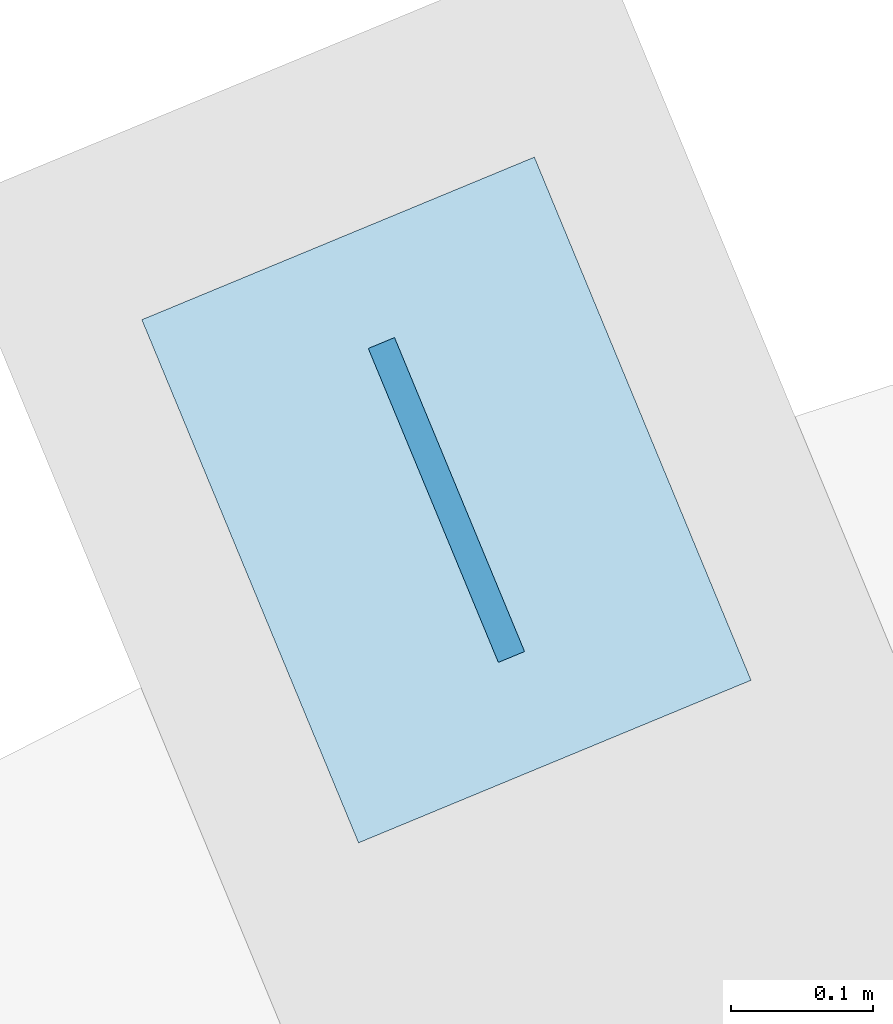
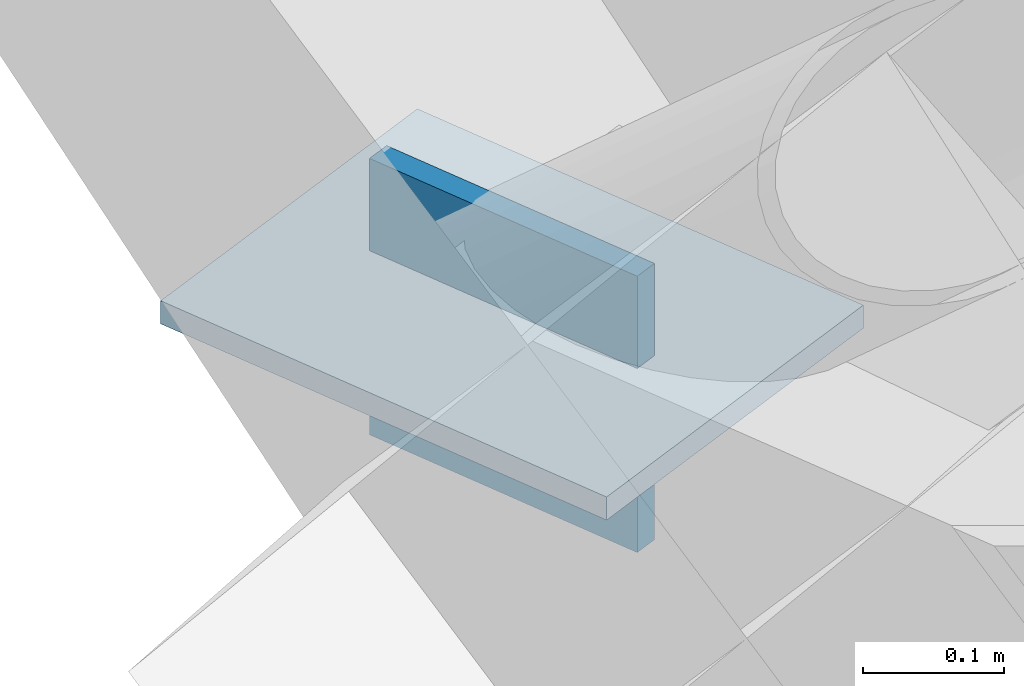
# One storey, part 21 of 34: 2 plates.
"""IFC4 building model written with IfcOpenShell, lengths in metres."""

from ifc_helpers import new_model, si_unit, direction, frame, origin, origin_2d, place, context, subcontext, project, spatial, rectangle, extrude, material, layer, layer_set, type_object, element, save


model = new_model("IFC4")

# Units and contexts
model_context = context("Model", 3, precision=1e-05, world=origin(), true_north=direction((0.0, 1.0)))
body_context = subcontext(model_context, "Body", "Model", "MODEL_VIEW")
ifc_project = project(units=[si_unit("LENGTHUNIT", "METRE"), si_unit("AREAUNIT", "SQUARE_METRE"), si_unit("VOLUMEUNIT", "CUBIC_METRE"), si_unit("PLANEANGLEUNIT", "RADIAN"), si_unit("MASSUNIT", "GRAM", prefix="KILO")], contexts=[model_context])

# Site, building, storey
site_placement = place(None, origin())
site = spatial("IfcSite", under=ifc_project, at=site_placement, CompositionType="ELEMENT")
building_placement = place(site_placement, origin())
building = spatial("IfcBuilding", under=site, at=building_placement, Name="Miralva Faculty of Natural Sciences", CompositionType="ELEMENT")
storey_placement = place(building_placement, frame((0.0, 0.0, 24.0)))
storey = spatial("IfcBuildingStorey", under=building, at=storey_placement, Name="L05", CompositionType="ELEMENT", Elevation=24.0)

# Plates
ifc_material = material(Name="Steel S355", Category="steel")
ifc_layer_1 = layer(ifc_material, 0.02490234375, Name="PLT-BP02")
ifc_layer_set_1 = layer_set([ifc_layer_1], Name="Steel S355")
plate_type_1 = type_object("IfcPlateType", Name="PLT-BP02", PredefinedType="SHEET", material=ifc_layer_set_1)
plate_1_placement = place(storey_placement, frame((66.65625, 35.356689453125, -0.16015625), z_axis=(0.0, 0.0, 1.0), x_axis=(-0.382683432365, 0.923879532511, 0.0)))
element("IfcPlate", 1, at=plate_1_placement, inside=storey, type_object=plate_type_1, Name="Shell truss diagonal gusset plate 02-5", PredefinedType="SHEET", context=body_context, shape_type="SweptSolid", body=[
    extrude(rectangle(XDim=0.239990234375, YDim=0.02001953125, at=origin_2d()), origin(), (0.0, 0.0, 1.0), 0.239990234375),
])
ifc_layer_2 = layer(ifc_material, 0.02001953125, Name="PLT-BP03")
ifc_layer_set_2 = layer_set([ifc_layer_2], Name="Steel S355")
plate_type_2 = type_object("IfcPlateType", Name="PLT-BP03", PredefinedType="SHEET", material=ifc_layer_set_2)
plate_2_placement = place(storey_placement, frame((66.65625, 35.356689453125, -0.02001953125), z_axis=(0.0, 0.0, 1.0), x_axis=(-0.382683432365, 0.923879532511, 0.0)))
element("IfcPlate", 2, at=plate_2_placement, inside=storey, type_object=plate_type_2, Name="Shell springing bearing plate EB-02-OUT", PredefinedType="SHEET", context=body_context, shape_type="SweptSolid", body=[
    extrude(rectangle(XDim=0.39990234375, YDim=0.300048828125, at=origin_2d()), origin(), (0.0, 0.0, 1.0), 0.02001953125),
])

save(model, "model.ifc")
